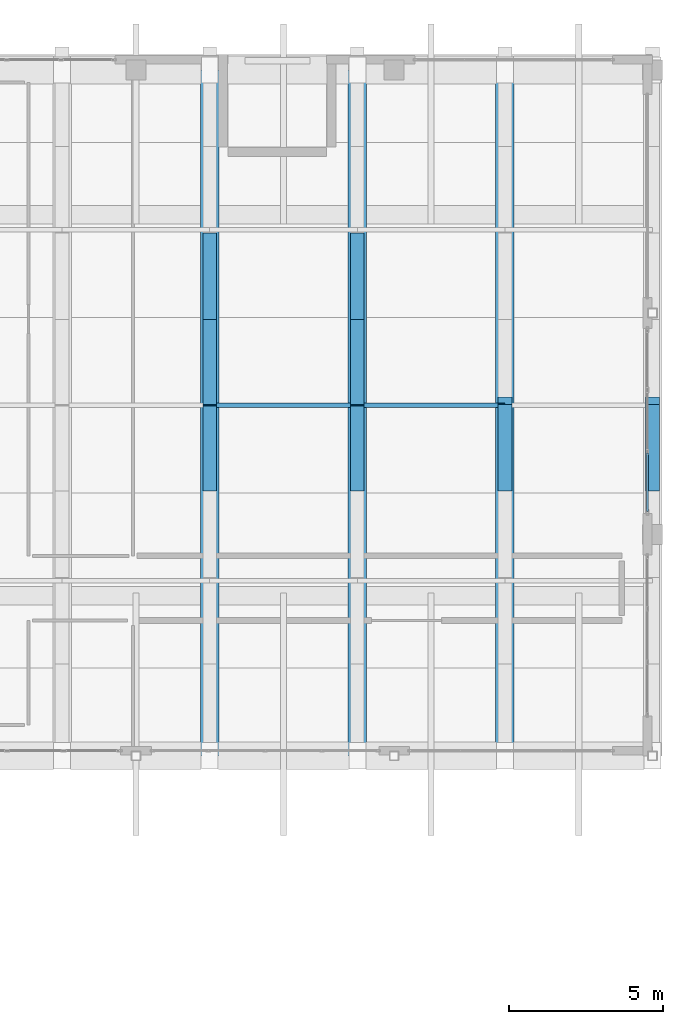
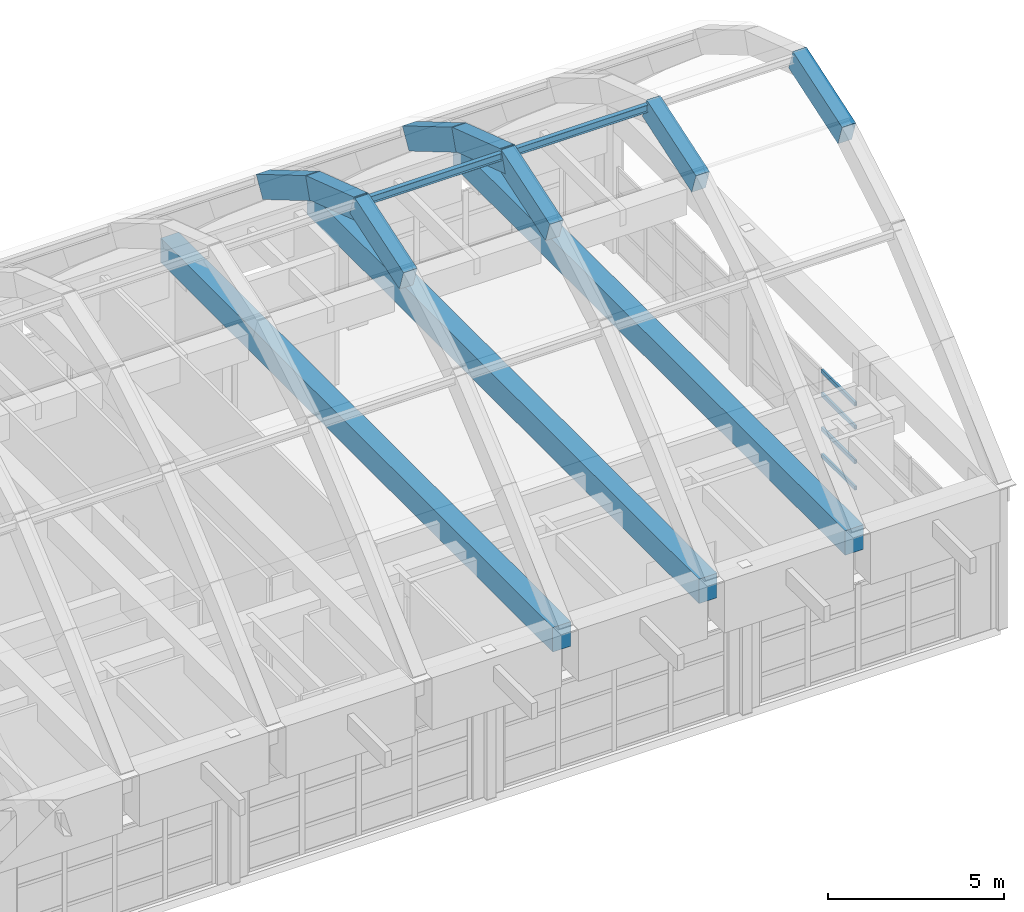
# One storey, part 47 of 78: 11 beams, 6 members, 1 element without a shape of its own.
"""IFC4 building model written with IfcOpenShell, lengths in metres."""

from ifc_helpers import new_model, si_unit, direction, frame, origin, origin_2d, place, context, subcontext, project, spatial, rectangle, hollow_rectangle, i_section, extrude, material, layer, layer_set, material_profile, profile_set, type_object, element, aggregate, save


model = new_model("IFC4")

# Units and contexts
model_context = context("Model", 3, precision=1e-05, world=origin(), true_north=direction((0.0, 1.0)))
body_context = subcontext(model_context, "Body", "Model", "MODEL_VIEW")
ifc_project = project(units=[si_unit("LENGTHUNIT", "METRE"), si_unit("AREAUNIT", "SQUARE_METRE"), si_unit("VOLUMEUNIT", "CUBIC_METRE"), si_unit("PLANEANGLEUNIT", "RADIAN"), si_unit("MASSUNIT", "GRAM", prefix="KILO")], contexts=[model_context])

# Site, building, storey
site_placement = place(None, origin())
site = spatial("IfcSite", under=ifc_project, at=site_placement, CompositionType="ELEMENT")
building_placement = place(site_placement, origin())
building = spatial("IfcBuilding", under=site, at=building_placement, Name="Quendrovan Civic Courthouse", CompositionType="ELEMENT")
storey_placement = place(building_placement, frame((0.0, 0.0, 20.39990234375)))
storey = spatial("IfcBuildingStorey", under=building, at=storey_placement, Name="L05", CompositionType="ELEMENT", Elevation=20.39990234375)

# Beams
ifc_material_1 = material(Name="Post-tensioned concrete C50/60", Category="concrete")
ifc_material_profile_1 = material_profile(ifc_material_1, rectangle(XDim=0.60009765625, YDim=0.85009765625, at=origin_2d()), Name="PT-TIE-600x850")
ifc_profile_set_1 = profile_set([ifc_material_profile_1], Name="Post-tensioned concrete C50/60")
beam_type_1 = type_object("IfcBeamType", Name="BM-PTTIE850", PredefinedType="BEAM", material=ifc_profile_set_1)
for number, where, z_axis, x_axis, name in (
    (1, (128.39990234375, 87.60009765625, 4.675048828125), (0.0, 1.0, 0.0), (-1.0, 0.0, 0.0), "BV1 Vault Post-Tensioned Tie Beam A5"),
    (2, (133.199951171875, 87.60009765625, 4.675048828125), (0.0, 1.0, 0.0), (-1.0, 0.0, 0.0), "BV1 Vault Post-Tensioned Tie Beam A6"),
    (3, (138.0, 87.60009765625, 4.675048828125), (0.0, 1.0, 0.0), (-1.0, 0.0, 0.0), "BV1 Vault Post-Tensioned Tie Beam A7"),
):
    element("IfcBeam", number, at=place(storey_placement, frame(where, z_axis=z_axis, x_axis=x_axis)), inside=storey, type_object=beam_type_1, Name=name, PredefinedType="BEAM", context=body_context, shape_type="SweptSolid", body=[
        extrude(rectangle(XDim=0.60009765625, YDim=0.85009765625, at=origin_2d()), origin(), (0.0, 0.0, 1.0), 22.2998046875),
    ])
ifc_material_2 = material(Name="Concrete C40/50", Category="concrete")
ifc_material_profile_2 = material_profile(ifc_material_2, rectangle(XDim=0.449951171875, YDim=0.75, at=origin_2d()), Name="RC-VRIB-450x750")
ifc_profile_set_2 = profile_set([ifc_material_profile_2], Name="Concrete C40/50")
beam_type_2 = type_object("IfcBeamType", Name="BM-VRIB750", PredefinedType="BEAM", material=ifc_profile_set_2)
for number, where, z_axis, x_axis, name in (
    (4, (128.39990234375, 96.33154296875, 11.8115234375), (0.0, 0.948872737185, 0.315658880164), (-1.0, 0.0, 0.0), "BV1 Concrete Vault Arch Rib A5-C4"),
    (5, (128.39990234375, 98.8583984375, 12.746337890625), (0.0, 0.948872737185, -0.315658880164), (-1.0, 0.0, 0.0), "BV1 Concrete Vault Arch Rib A5-C5"),
):
    element("IfcBeam", number, at=place(storey_placement, frame(where, z_axis=z_axis, x_axis=x_axis)), inside=storey, type_object=beam_type_2, Name=name, PredefinedType="BEAM", context=body_context, shape_type="SweptSolid", body=[
        extrude(rectangle(XDim=0.449951171875, YDim=0.75, at=origin_2d()), origin(), (0.0, 0.0, 1.0), 2.96142578125),
    ])
beam_1_placement = place(storey_placement, frame((128.39990234375, 101.557861328125, 11.86181640625), z_axis=(0.0, 0.861355141515, -0.508003267889), x_axis=(-1.0, 0.0, 0.0)))
element("IfcBeam", 6, at=beam_1_placement, inside=storey, type_object=beam_type_2, Name="BV1 Concrete Vault Arch Rib A5-C6", PredefinedType="BEAM", context=body_context, shape_type="SweptSolid", body=[
    extrude(rectangle(XDim=0.449951171875, YDim=0.75, at=origin_2d()), origin(), (0.0, 0.0, 1.0), 3.308837890625),
])
for number, where, z_axis, x_axis, name in (
    (7, (133.199951171875, 96.33154296875, 11.8115234375), (0.0, 0.948872737185, 0.315658880164), (-1.0, 0.0, 0.0), "BV1 Concrete Vault Arch Rib A6-C4"),
    (8, (133.199951171875, 98.8583984375, 12.746337890625), (0.0, 0.948872737185, -0.315658880164), (-1.0, 0.0, 0.0), "BV1 Concrete Vault Arch Rib A6-C5"),
):
    element("IfcBeam", number, at=place(storey_placement, frame(where, z_axis=z_axis, x_axis=x_axis)), inside=storey, type_object=beam_type_2, Name=name, PredefinedType="BEAM", context=body_context, shape_type="SweptSolid", body=[
        extrude(rectangle(XDim=0.449951171875, YDim=0.75, at=origin_2d()), origin(), (0.0, 0.0, 1.0), 2.96142578125),
    ])
beam_2_placement = place(storey_placement, frame((133.199951171875, 101.557861328125, 11.86181640625), z_axis=(0.0, 0.861355141515, -0.508003267889), x_axis=(-1.0, 0.0, 0.0)))
element("IfcBeam", 9, at=beam_2_placement, inside=storey, type_object=beam_type_2, Name="BV1 Concrete Vault Arch Rib A6-C6", PredefinedType="BEAM", context=body_context, shape_type="SweptSolid", body=[
    extrude(rectangle(XDim=0.449951171875, YDim=0.75, at=origin_2d()), origin(), (0.0, 0.0, 1.0), 3.308837890625),
])
for number, where, z_axis, x_axis, name in (
    (10, (138.0, 96.33154296875, 11.8115234375), (0.0, 0.948872737185, 0.315658880164), (-1.0, 0.0, 0.0), "BV1 Concrete Vault Arch Rib A7-C4"),
    (11, (142.800048828125, 96.33154296875, 11.8115234375), (0.0, 0.948872737185, 0.315658880164), (-1.0, 0.0, 0.0), "BV1 Concrete Vault Arch Rib A8-C4"),
):
    element("IfcBeam", number, at=place(storey_placement, frame(where, z_axis=z_axis, x_axis=x_axis)), inside=storey, type_object=beam_type_2, Name=name, PredefinedType="BEAM", context=body_context, shape_type="SweptSolid", body=[
        extrude(rectangle(XDim=0.449951171875, YDim=0.75, at=origin_2d()), origin(), (0.0, 0.0, 1.0), 2.96142578125),
    ])

# Curtain wall, members
ifc_material_3 = material(Name="Bronze anodised aluminium and low-E glass", Category="aluminium")
ifc_layer = layer(ifc_material_3, 0.179931640625, Name="Bronze anodised aluminium and low-E glass")
ifc_layer_set = layer_set([ifc_layer], Name="Bronze anodised aluminium and low-E glass")
curtain_wall_type = type_object("IfcCurtainWallType", Name="CW-U60x30", PredefinedType="USERDEFINED", material=ifc_layer_set)
curtain_wall_placement = place(storey_placement, origin())
curtain_wall = element("IfcCurtainWall", 12, at=curtain_wall_placement, inside=storey, type_object=curtain_wall_type, Name="L05 Unitised Hurricane Curtain Wall CW-196", ObjectType="UNITISED CURTAIN WALL", PredefinedType="USERDEFINED")
ifc_material_4 = material(Name="Bronze anodised aluminium", Category="aluminium")
ifc_material_profile_3 = material_profile(ifc_material_4, hollow_rectangle(XDim=0.070068359375, YDim=0.139892578125, WallThickness=0.00390625, at=origin_2d()), Name="CW-TRAN-70x140")
ifc_profile_set_3 = profile_set([ifc_material_profile_3], Name="Bronze anodised aluminium")
member_type_1 = type_object("IfcMemberType", Name="CW-TRAN-A", PredefinedType="USERDEFINED", material=ifc_profile_set_3)
member_1_placement = place(storey_placement, frame((142.635009765625, 97.4482421875, 0.03515625), z_axis=(0.0, -1.0, 0.0), x_axis=(1.0, 0.0, 0.0)))
member_1 = element("IfcMember", 13, at=member_1_placement, type_object=member_type_1, Name="CW-196 transom 3.1", ObjectType="TRANSOM", PredefinedType="USERDEFINED", context=body_context, shape_type="SweptSolid", body=[
    extrude(hollow_rectangle(XDim=0.070068359375, YDim=0.139892578125, WallThickness=0.00390625, at=origin_2d()), origin(), (0.0, 0.0, 1.0), 1.9033203125),
])
member_2_placement = place(storey_placement, frame((142.635009765625, 97.4482421875, 0.9501953125), z_axis=(0.0, -1.0, 0.0), x_axis=(1.0, 0.0, 0.0)))
member_2 = element("IfcMember", 14, at=member_2_placement, type_object=member_type_1, Name="CW-196 transom 3.2", ObjectType="TRANSOM", PredefinedType="USERDEFINED", context=body_context, shape_type="SweptSolid", body=[
    extrude(hollow_rectangle(XDim=0.070068359375, YDim=0.139892578125, WallThickness=0.00390625, at=origin_2d()), origin(), (0.0, 0.0, 1.0), 1.9033203125),
])
member_3_placement = place(storey_placement, frame((142.635009765625, 97.4482421875, 2.150146484375), z_axis=(0.0, -1.0, 0.0), x_axis=(1.0, 0.0, 0.0)))
member_3 = element("IfcMember", 15, at=member_3_placement, type_object=member_type_1, Name="CW-196 transom 3.3", ObjectType="TRANSOM", PredefinedType="USERDEFINED", context=body_context, shape_type="SweptSolid", body=[
    extrude(hollow_rectangle(XDim=0.070068359375, YDim=0.139892578125, WallThickness=0.00390625, at=origin_2d()), origin(), (0.0, 0.0, 1.0), 1.9033203125),
])
member_4_placement = place(storey_placement, frame((142.635009765625, 97.4482421875, 2.955078125), z_axis=(0.0, -1.0, 0.0), x_axis=(1.0, 0.0, 0.0)))
member_4 = element("IfcMember", 16, at=member_4_placement, type_object=member_type_1, Name="CW-196 transom 3.4", ObjectType="TRANSOM", PredefinedType="USERDEFINED", context=body_context, shape_type="SweptSolid", body=[
    extrude(hollow_rectangle(XDim=0.070068359375, YDim=0.139892578125, WallThickness=0.00390625, at=origin_2d()), origin(), (0.0, 0.0, 1.0), 1.9033203125),
])
aggregate(curtain_wall, [member_1, member_2, member_3, member_4])

# Members
ifc_material_5 = material(Name="Steel ASTM A992 Grade 50", Category="steel")
ifc_material_profile_4 = material_profile(ifc_material_5, i_section(OverallWidth=0.14599609375, OverallDepth=0.258056640625, WebThickness=0.006103515625, FlangeThickness=0.009033203125, at=origin_2d()), Name="W250x33")
ifc_profile_set_4 = profile_set([ifc_material_profile_4], Name="Steel ASTM A992 Grade 50")
member_type_2 = type_object("IfcMemberType", Name="MEM-PUR-W250", PredefinedType="PURLIN", material=ifc_profile_set_4)
for number, where, z_axis, x_axis, name in (
    (17, (128.39990234375, 99.0, 12.860107421875), (1.0, 0.0, 0.0), (0.0, 1.0, 0.0), "BV1 Vault Longitudinal Purlin B5-2"),
    (18, (133.199951171875, 99.0, 12.860107421875), (1.0, 0.0, 0.0), (0.0, 1.0, 0.0), "BV1 Vault Longitudinal Purlin B6-2"),
):
    element("IfcMember", number, at=place(storey_placement, frame(where, z_axis=z_axis, x_axis=x_axis)), inside=storey, type_object=member_type_2, Name=name, PredefinedType="PURLIN", context=body_context, shape_type="SweptSolid", body=[
        extrude(i_section(OverallWidth=0.14599609375, OverallDepth=0.258056640625, WebThickness=0.006103515625, FlangeThickness=0.009033203125, at=origin_2d()), origin(), (0.0, 0.0, 1.0), 4.800048828125),
    ])

save(model, "model.ifc")
